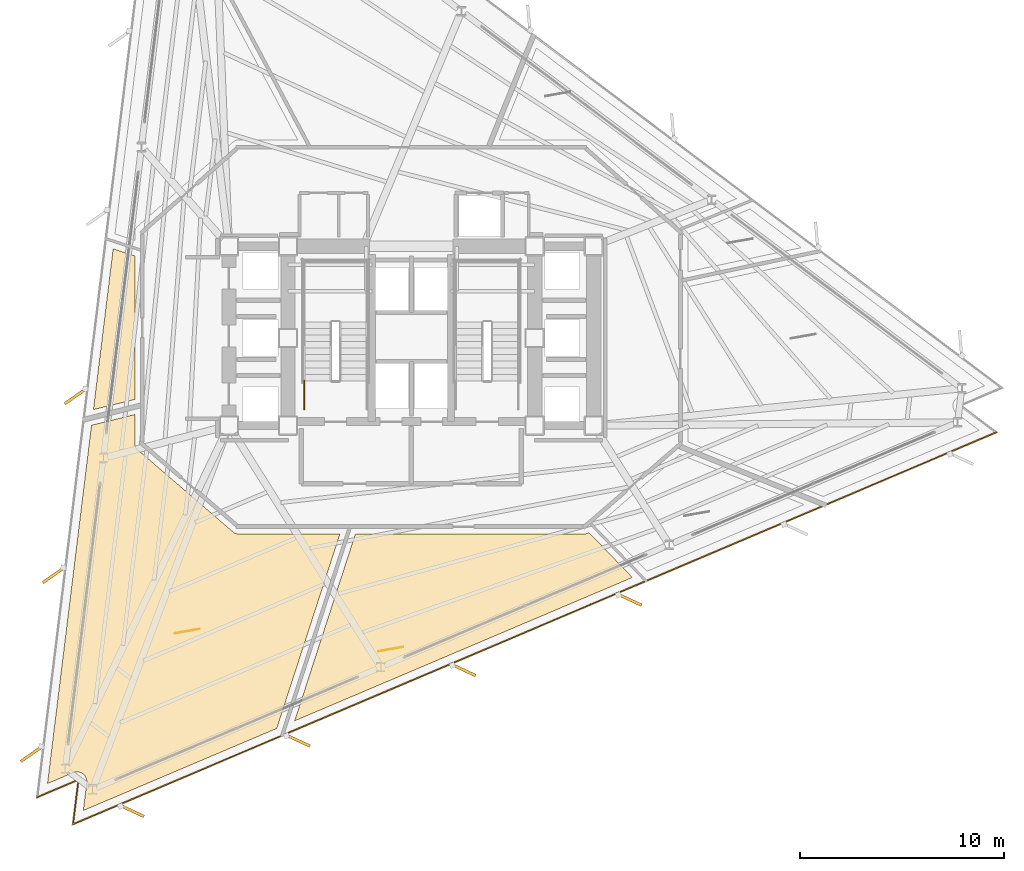
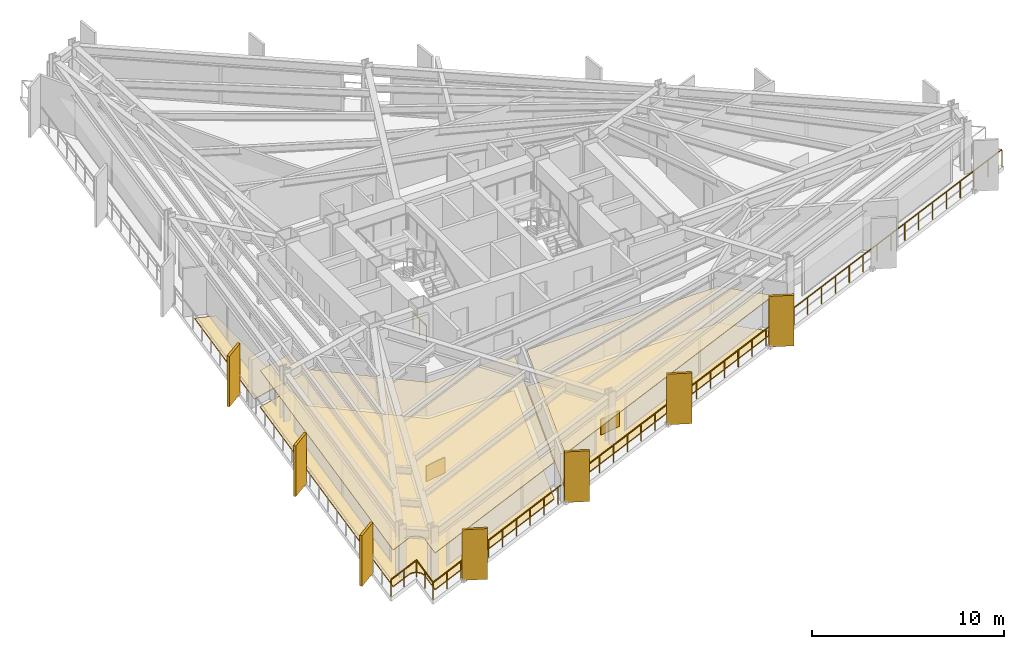
# One storey, part 9 of 13: 7 coverings, 7 shading devices, 2 railings.
"""IFC4 building model written with IfcOpenShell, lengths in metres."""

from ifc_helpers import new_model, si_unit, direction, frame, origin, origin_2d, place, context, subcontext, project, spatial, polyline, rectangle, outline, extrude, material, layer, layer_set, type_object, element, save


model = new_model("IFC4")

# Units and contexts
model_context = context("Model", 3, precision=1e-05, world=origin(), true_north=direction((0.0, 1.0)))
body_context = subcontext(model_context, "Body", "Model", "MODEL_VIEW")
ifc_project = project(units=[si_unit("LENGTHUNIT", "METRE"), si_unit("AREAUNIT", "SQUARE_METRE"), si_unit("VOLUMEUNIT", "CUBIC_METRE"), si_unit("PLANEANGLEUNIT", "RADIAN"), si_unit("MASSUNIT", "GRAM", prefix="KILO")], contexts=[model_context])

# Site, building, storey
site_placement = place(None, origin())
site = spatial("IfcSite", under=ifc_project, at=site_placement, CompositionType="ELEMENT")
building_placement = place(site_placement, origin())
building = spatial("IfcBuilding", under=site, at=building_placement, Name="Rocaltana Carrier Exchange", CompositionType="ELEMENT")
storey_placement = place(building_placement, frame((0.0, 0.0, 56.320068359375)))
storey = spatial("IfcBuildingStorey", under=building, at=storey_placement, Name="L17", CompositionType="ELEMENT", Elevation=56.320068359375)

# Coverings
ifc_material_1 = material(Name="Calcium Sulphate & Aluminium Pedestal", Category="aluminium")
ifc_layer_1 = layer(ifc_material_1, 0.06005859375)
ifc_layer_set_1 = layer_set([ifc_layer_1], Name="Calcium Sulphate & Aluminium Pedestal")
covering_type_1 = type_object("IfcCoveringType", Name="Anti-Static Raised Exchange Access Floor 60", PredefinedType="FLOORING", material=ifc_layer_set_1)
covering_1_placement = place(storey_placement, origin())
element("IfcCovering", 1, at=covering_1_placement, inside=storey, type_object=covering_type_1, Name="L17 Network Engineering Studio Finish Floor", PredefinedType="FLOORING", context=body_context, shape_type="SweptSolid", body=[
    extrude(outline(polyline([(-15.923583984375, -21.822021484375), (-15.922119140625, -21.80810546875), (-15.9208984375, -21.788330078125), (-15.920166015625, -21.760498046875), (-15.920654296875, -21.740478515625), (-15.9228515625, -21.712646484375), (-15.92529296875, -21.69287109375), (-15.930419921875, -21.665283203125), (-15.934814453125, -21.64599609375), (-15.9423828125, -21.619140625), (-15.94873046875, -21.60009765625), (-15.958984375, -21.57421875), (-15.96728515625, -21.55615234375), (-15.97998046875, -21.53125), (-15.989990234375, -21.51416015625), (-16.00537109375, -21.49072265625), (-16.01708984375, -21.474609375), (-16.034423828125, -21.45263671875), (-16.047607421875, -21.437744140625), (-16.067138671875, -21.41796875), (-16.081787109375, -21.404296875), (-16.103271484375, -21.386474609375), (-16.119140625, -21.37451171875), (-16.142333984375, -21.35888671875), (-16.159423828125, -21.348388671875), (-16.183837890625, -21.335205078125), (-16.201904296875, -21.326416015625), (-16.227783203125, -21.31591796875), (-16.246337890625, -21.30908203125), (-16.273193359375, -21.30078125), (-16.29248046875, -21.2958984375), (-16.31982421875, -21.29052734375), (-16.339599609375, -21.28759765625), (-16.3671875, -21.284912109375), (-16.38720703125, -21.283935546875), (-16.415283203125, -21.283935546875), (-16.43505859375, -21.284912109375), (-16.462890625, -21.287841796875), (-16.482421875, -21.291015625), (-16.510009765625, -21.29638671875), (-16.529296875, -21.301513671875), (-16.555908203125, -21.309814453125), (-16.57470703125, -21.316650390625), (-16.587646484375, -21.32177734375), (-17.847412109375, -21.8564453125), (-15.689697265625, -4.282958984375), (-13.56005859375, -3.751953125), (-13.56005859375, -5.199951171875), (-13.559814453125, -5.21337890625), (-13.559326171875, -5.220947265625), (-13.556884765625, -5.24755859375), (-13.5556640625, -5.255126953125), (-13.550537109375, -5.281494140625), (-13.548828125, -5.288818359375), (-13.541259765625, -5.314453125), (-13.538818359375, -5.32177734375), (-13.52880859375, -5.346435546875), (-13.525634765625, -5.353515625), (-13.51318359375, -5.377197265625), (-13.509521484375, -5.3837890625), (-13.4951171875, -5.40625), (-13.490478515625, -5.41259765625), (-13.47412109375, -5.433349609375), (-13.468994140625, -5.439208984375), (-13.450439453125, -5.45849609375), (-13.44482421875, -5.4638671875), (-13.43505859375, -5.47265625), (-8.735107421875, -9.522705078125), (-8.72412109375, -9.53173828125), (-8.717529296875, -9.53662109375), (-8.6943359375, -9.552978515625), (-8.6875, -9.557373046875), (-8.66259765625, -9.571044921875), (-8.6552734375, -9.57470703125), (-8.629150390625, -9.5859375), (-8.62158203125, -9.5888671875), (-8.594482421875, -9.597412109375), (-8.58642578125, -9.599365234375), (-8.55859375, -9.60498046875), (-8.550537109375, -9.606201171875), (-8.522216796875, -9.609130859375), (-8.51416015625, -9.609619140625), (-8.5, -9.610107421875), (-3.5009765625, -9.610107421875), (-6.6015625, -19.15283203125), (-16.09033203125, -23.180419921875), (-15.923583984375, -21.822021484375)])), origin(), (0.0, 0.0, 1.0), 0.059814453125),
])
covering_2_placement = place(storey_placement, origin())
element("IfcCovering", 2, at=covering_2_placement, inside=storey, type_object=covering_type_1, Name="L17 Photonic Integration Workshop Finish Floor", PredefinedType="FLOORING", context=body_context, shape_type="SweptSolid", body=[
    extrude(outline(polyline([(-5.723388671875, -18.780029296875), (-2.743896484375, -9.610107421875), (8.5, -9.610107421875), (8.51416015625, -9.609619140625), (8.522216796875, -9.609130859375), (8.550537109375, -9.606201171875), (8.55859375, -9.60498046875), (8.58642578125, -9.599365234375), (8.594482421875, -9.597412109375), (8.62158203125, -9.5888671875), (8.629150390625, -9.5859375), (8.6552734375, -9.57470703125), (8.66259765625, -9.571044921875), (8.6875, -9.557373046875), (8.6943359375, -9.552978515625), (8.71240234375, -9.540283203125), (10.843994140625, -11.74755859375), (-5.723388671875, -18.780029296875)])), origin(), (0.0, 0.0, 1.0), 0.059814453125),
])
covering_3_placement = place(storey_placement, origin())
element("IfcCovering", 3, at=covering_3_placement, inside=storey, type_object=covering_type_1, Name="L17 Cloud Architecture Office Finish Floor", PredefinedType="FLOORING", context=body_context, shape_type="SweptSolid", body=[
    extrude(outline(polyline([(-14.626708984375, 4.3740234375), (-13.56005859375, 4.02734375), (-13.56005859375, -3.010009765625), (-15.595703125, -3.517333984375), (-14.626708984375, 4.3740234375)])), origin(), (0.0, 0.0, 1.0), 0.059814453125),
])
ifc_material_2 = material(Name="Mineral Fibre & Powder-Coated Aluminium", Category="aluminium")
ifc_layer_2 = layer(ifc_material_2, 0.044921875)
ifc_layer_set_2 = layer_set([ifc_layer_2], Name="Mineral Fibre & Powder-Coated Aluminium")
covering_type_2 = type_object("IfcCoveringType", Name="Micro-Perforated Acoustic Ceiling 45", PredefinedType="CEILING", material=ifc_layer_set_2)
covering_4_placement = place(storey_placement, frame((0.0, 0.0, 2.322998046875)))
element("IfcCovering", 4, at=covering_4_placement, inside=storey, type_object=covering_type_2, Name="L17 Network Engineering Studio Acoustic Ceiling", PredefinedType="CEILING", context=body_context, shape_type="SweptSolid", body=[
    extrude(outline(polyline([(-15.923583984375, -21.822021484375), (-15.922119140625, -21.80810546875), (-15.9208984375, -21.788330078125), (-15.920166015625, -21.760498046875), (-15.920654296875, -21.740478515625), (-15.9228515625, -21.712646484375), (-15.92529296875, -21.69287109375), (-15.930419921875, -21.665283203125), (-15.934814453125, -21.64599609375), (-15.9423828125, -21.619140625), (-15.94873046875, -21.60009765625), (-15.958984375, -21.57421875), (-15.96728515625, -21.55615234375), (-15.97998046875, -21.53125), (-15.989990234375, -21.51416015625), (-16.00537109375, -21.49072265625), (-16.01708984375, -21.474609375), (-16.034423828125, -21.45263671875), (-16.047607421875, -21.437744140625), (-16.067138671875, -21.41796875), (-16.081787109375, -21.404296875), (-16.103271484375, -21.386474609375), (-16.119140625, -21.37451171875), (-16.142333984375, -21.35888671875), (-16.159423828125, -21.348388671875), (-16.183837890625, -21.335205078125), (-16.201904296875, -21.326416015625), (-16.227783203125, -21.31591796875), (-16.246337890625, -21.30908203125), (-16.273193359375, -21.30078125), (-16.29248046875, -21.2958984375), (-16.31982421875, -21.29052734375), (-16.339599609375, -21.28759765625), (-16.3671875, -21.284912109375), (-16.38720703125, -21.283935546875), (-16.415283203125, -21.283935546875), (-16.43505859375, -21.284912109375), (-16.462890625, -21.287841796875), (-16.482421875, -21.291015625), (-16.510009765625, -21.29638671875), (-16.529296875, -21.301513671875), (-16.555908203125, -21.309814453125), (-16.57470703125, -21.316650390625), (-16.587646484375, -21.32177734375), (-17.847412109375, -21.8564453125), (-15.689697265625, -4.282958984375), (-13.56005859375, -3.751953125), (-13.56005859375, -5.199951171875), (-13.559814453125, -5.21337890625), (-13.559326171875, -5.220947265625), (-13.556884765625, -5.24755859375), (-13.5556640625, -5.255126953125), (-13.550537109375, -5.281494140625), (-13.548828125, -5.288818359375), (-13.541259765625, -5.314453125), (-13.538818359375, -5.32177734375), (-13.52880859375, -5.346435546875), (-13.525634765625, -5.353515625), (-13.51318359375, -5.377197265625), (-13.509521484375, -5.3837890625), (-13.4951171875, -5.40625), (-13.490478515625, -5.41259765625), (-13.47412109375, -5.433349609375), (-13.468994140625, -5.439208984375), (-13.450439453125, -5.45849609375), (-13.44482421875, -5.4638671875), (-13.43505859375, -5.47265625), (-8.735107421875, -9.522705078125), (-8.72412109375, -9.53173828125), (-8.717529296875, -9.53662109375), (-8.6943359375, -9.552978515625), (-8.6875, -9.557373046875), (-8.66259765625, -9.571044921875), (-8.6552734375, -9.57470703125), (-8.629150390625, -9.5859375), (-8.62158203125, -9.5888671875), (-8.594482421875, -9.597412109375), (-8.58642578125, -9.599365234375), (-8.55859375, -9.60498046875), (-8.550537109375, -9.606201171875), (-8.522216796875, -9.609130859375), (-8.51416015625, -9.609619140625), (-8.5, -9.610107421875), (-3.5009765625, -9.610107421875), (-6.6015625, -19.15283203125), (-16.09033203125, -23.180419921875), (-15.923583984375, -21.822021484375)])), origin(), (0.0, 0.0, 1.0), 0.044921875),
])
covering_5_placement = place(storey_placement, frame((0.0, 0.0, 2.322998046875)))
element("IfcCovering", 5, at=covering_5_placement, inside=storey, type_object=covering_type_2, Name="L17 Photonic Integration Workshop Acoustic Ceiling", PredefinedType="CEILING", context=body_context, shape_type="SweptSolid", body=[
    extrude(outline(polyline([(-5.723388671875, -18.780029296875), (-2.743896484375, -9.610107421875), (8.5, -9.610107421875), (8.51416015625, -9.609619140625), (8.522216796875, -9.609130859375), (8.550537109375, -9.606201171875), (8.55859375, -9.60498046875), (8.58642578125, -9.599365234375), (8.594482421875, -9.597412109375), (8.62158203125, -9.5888671875), (8.629150390625, -9.5859375), (8.6552734375, -9.57470703125), (8.66259765625, -9.571044921875), (8.6875, -9.557373046875), (8.6943359375, -9.552978515625), (8.71240234375, -9.540283203125), (10.843994140625, -11.74755859375), (-5.723388671875, -18.780029296875)])), origin(), (0.0, 0.0, 1.0), 0.044921875),
])

# Railing
ifc_material_3 = material(Name="Powder-Coated Aluminium 6063-T6", Category="aluminium")
ifc_layer_3 = layer(ifc_material_3, 0.048095703125)
ifc_layer_set_3 = layer_set([ifc_layer_3], Name="Powder-Coated Aluminium 6063-T6")
railing_type_1 = type_object("IfcRailingType", Name="Stair Well Guardrail 1100", PredefinedType="GUARDRAIL", material=ifc_layer_set_3)
railing_1_placement = place(storey_placement, frame((-5.25, -3.5, 0.0)))
element("IfcRailing", 6, at=railing_1_placement, inside=storey, type_object=railing_type_1, Name="L17 ST-1 stair guard 9", PredefinedType="GUARDRAIL", context=body_context, shape_type="SweptSolid", body=[
    extrude(rectangle(XDim=0.048095703125, YDim=0.048095703125, at=origin_2d()), frame((0.0, 0.0, 1.076171875), z_axis=(0.0, 1.0, 0.0), x_axis=(-1.0, 0.0, 0.0)), (0.0, 0.0, 1.0), 1.39990234375),
    extrude(rectangle(XDim=0.0419921875, YDim=0.0419921875, at=origin_2d()), origin(), (0.0, 0.0, 1.0), 1.052001953125),
    extrude(rectangle(XDim=0.0419921875, YDim=0.0419921875, at=origin_2d()), frame((0.0, 0.699951171875, 0.0)), (0.0, 0.0, 1.0), 1.052001953125),
    extrude(rectangle(XDim=0.0419921875, YDim=0.0419921875, at=origin_2d()), frame((0.0, 1.39990234375, 0.0)), (0.0, 0.0, 1.0), 1.052001953125),
])

# Coverings
ifc_material_4 = material(Name="Honed Piedra Muneca Sandstone", Category="masonry")
ifc_layer_4 = layer(ifc_material_4, 0.034912109375)
ifc_layer_set_4 = layer_set([ifc_layer_4], Name="Honed Piedra Muneca Sandstone")
covering_type_3 = type_object("IfcCoveringType", Name="Stone Facade Cladding 35", PredefinedType="CLADDING", material=ifc_layer_set_4)
for number, where, z_axis, x_axis, name in (
    (7, (-10.990478515625, -14.38134765625, 0.0), (0.0, 0.0, 1.0), (0.984807753012, 0.173648177667, 0.0), "L17 Stone Facade Cladding Panel 1"),
    (8, (-1.010498046875, -15.263916015625, 0.0), (0.0, 0.0, 1.0), (0.984807753012, 0.173648177667, 0.0), "L17 Stone Facade Cladding Panel 2"),
):
    element("IfcCovering", number, at=place(storey_placement, frame(where, z_axis=z_axis, x_axis=x_axis)), inside=storey, type_object=covering_type_3, Name=name, PredefinedType="CLADDING", context=body_context, shape_type="SweptSolid", body=[
        extrude(rectangle(XDim=1.25, YDim=0.034912109375, at=origin_2d()), origin(), (0.0, 0.0, 1.0), 1.050048828125),
    ])

# Shading devices
ifc_material_5 = material(Name="Honed Bogota Sandstone & Concrete C45/55", Category="masonry")
ifc_layer_5 = layer(ifc_material_5, 0.139892578125)
ifc_layer_set_5 = layer_set([ifc_layer_5], Name="Honed Bogota Sandstone & Concrete C45/55")
shading_device_type = type_object("IfcShadingDeviceType", Name="Vertical Sandstone Shading Fin 1320x140", PredefinedType="USERDEFINED", material=ifc_layer_set_5)
for number, where, z_axis, x_axis, name in (
    (9, (-16.46142578125, -2.85009765625, -0.1201171875), (0.0, 0.0, 1.0), (-0.819152044289, -0.573576436351, 0.0), "L17 Sandstone Vertical Fin F2-04"),
    (10, (-17.538818359375, -11.6240234375, -0.1201171875), (0.0, 0.0, 1.0), (-0.819152044289, -0.573576436351, 0.0), "L17 Sandstone Vertical Fin F2-05"),
    (11, (-18.6162109375, -20.398193359375, -0.1201171875), (0.0, 0.0, 1.0), (-0.819152044289, -0.573576436351, 0.0), "L17 Sandstone Vertical Fin F2-06"),
    (12, (-13.712890625, -23.193359375, -0.1201171875), (0.0, 0.0, 1.0), (0.906307787037, -0.422618261741, 0.0), "L17 Sandstone Vertical Fin F3-01"),
    (13, (-5.57568359375, -19.7392578125, -0.1201171875), (0.0, 0.0, 1.0), (0.906307787037, -0.422618261741, 0.0), "L17 Sandstone Vertical Fin F3-02"),
    (14, (2.5615234375, -16.28515625, -0.1201171875), (0.0, 0.0, 1.0), (0.906307787037, -0.422618261741, 0.0), "L17 Sandstone Vertical Fin F3-03"),
    (15, (10.698974609375, -12.8310546875, -0.1201171875), (0.0, 0.0, 1.0), (0.906307787037, -0.422618261741, 0.0), "L17 Sandstone Vertical Fin F3-04"),
):
    element("IfcShadingDevice", number, at=place(storey_placement, frame(where, z_axis=z_axis, x_axis=x_axis)), inside=storey, type_object=shading_device_type, Name=name, ObjectType="FIN", PredefinedType="USERDEFINED", context=body_context, shape_type="SweptSolid", body=[
        extrude(rectangle(XDim=1.320068359375, YDim=0.139892578125, at=origin_2d()), origin(), (0.0, 0.0, 1.0), 3.218017578125),
    ])

# Railing
ifc_material_6 = material(Name="Powder-Coated Aluminium 6063-T6", Category="aluminium")
ifc_layer_6 = layer(ifc_material_6, 0.06005859375)
ifc_layer_set_6 = layer_set([ifc_layer_6], Name="Powder-Coated Aluminium 6063-T6")
railing_type_2 = type_object("IfcRailingType", Name="Wind-Floor & Terrace Perimeter Guardrail 1100", PredefinedType="GUARDRAIL", material=ifc_layer_set_6)
railing_2_placement = place(storey_placement, frame((28.685791015625, -4.63037109375, 0.0)))
element("IfcRailing", 16, at=railing_2_placement, inside=storey, type_object=railing_type_2, Name="L17 Perimeter Balcony Guardrail 1", PredefinedType="GUARDRAIL", context=body_context, shape_type="SweptSolid", body=[
    extrude(rectangle(XDim=0.048095703125, YDim=0.048095703125, at=origin_2d()), frame((0.0, 0.0, 1.076171875), z_axis=(-0.920504928534, -0.390730951608, 0.0), x_axis=(0.390730951608, -0.920504928534, 0.0)), (0.0, 0.0, 1.0), 49.1923828125),
    extrude(rectangle(XDim=0.048095703125, YDim=0.048095703125, at=origin_2d()), frame((-45.28173828125, -19.220947265625, 1.076171875), z_axis=(0.121849105842, 0.992548636292, 0.0), x_axis=(-0.992548636292, 0.121849105842, 0.0)), (0.0, 0.0, 1.0), 2.199951171875),
    extrude(rectangle(XDim=0.048095703125, YDim=0.048095703125, at=origin_2d()), frame((-45.013671875, -17.037353515625, 1.076171875), z_axis=(-0.920488651352, -0.390769296046, 0.0), x_axis=(0.390769296046, -0.920488651352, 0.0)), (0.0, 0.0, 1.0), 2.19970703125),
    extrude(rectangle(XDim=0.0419921875, YDim=0.0419921875, at=origin_2d()), origin(), (0.0, 0.0, 1.0), 1.052001953125),
    extrude(rectangle(XDim=0.0419921875, YDim=0.0419921875, at=origin_2d()), frame((-1.1044921875, -0.46875, 0.0)), (0.0, 0.0, 1.0), 1.052001953125),
    extrude(rectangle(XDim=0.0419921875, YDim=0.0419921875, at=origin_2d()), frame((-2.208984375, -0.9375, 0.0)), (0.0, 0.0, 1.0), 1.052001953125),
    extrude(rectangle(XDim=0.0419921875, YDim=0.0419921875, at=origin_2d()), frame((-3.313232421875, -1.406494140625, 0.0)), (0.0, 0.0, 1.0), 1.052001953125),
    extrude(rectangle(XDim=0.0419921875, YDim=0.0419921875, at=origin_2d()), frame((-4.417724609375, -1.875244140625, 0.0)), (0.0, 0.0, 1.0), 1.052001953125),
    extrude(rectangle(XDim=0.0419921875, YDim=0.0419921875, at=origin_2d()), frame((-5.522216796875, -2.343994140625, 0.0)), (0.0, 0.0, 1.0), 1.052001953125),
    extrude(rectangle(XDim=0.0419921875, YDim=0.0419921875, at=origin_2d()), frame((-6.626708984375, -2.812744140625, 0.0)), (0.0, 0.0, 1.0), 1.052001953125),
    extrude(rectangle(XDim=0.0419921875, YDim=0.0419921875, at=origin_2d()), frame((-7.73095703125, -3.28173828125, 0.0)), (0.0, 0.0, 1.0), 1.052001953125),
    extrude(rectangle(XDim=0.0419921875, YDim=0.0419921875, at=origin_2d()), frame((-8.83544921875, -3.75048828125, 0.0)), (0.0, 0.0, 1.0), 1.052001953125),
    extrude(rectangle(XDim=0.0419921875, YDim=0.0419921875, at=origin_2d()), frame((-9.93994140625, -4.21923828125, 0.0)), (0.0, 0.0, 1.0), 1.052001953125),
    extrude(rectangle(XDim=0.0419921875, YDim=0.0419921875, at=origin_2d()), frame((-11.04443359375, -4.68798828125, 0.0)), (0.0, 0.0, 1.0), 1.052001953125),
    extrude(rectangle(XDim=0.0419921875, YDim=0.0419921875, at=origin_2d()), frame((-12.148681640625, -5.15673828125, 0.0)), (0.0, 0.0, 1.0), 1.052001953125),
    extrude(rectangle(XDim=0.0419921875, YDim=0.0419921875, at=origin_2d()), frame((-13.253173828125, -5.625732421875, 0.0)), (0.0, 0.0, 1.0), 1.052001953125),
    extrude(rectangle(XDim=0.0419921875, YDim=0.0419921875, at=origin_2d()), frame((-14.357666015625, -6.094482421875, 0.0)), (0.0, 0.0, 1.0), 1.052001953125),
    extrude(rectangle(XDim=0.0419921875, YDim=0.0419921875, at=origin_2d()), frame((-15.462158203125, -6.563232421875, 0.0)), (0.0, 0.0, 1.0), 1.052001953125),
    extrude(rectangle(XDim=0.0419921875, YDim=0.0419921875, at=origin_2d()), frame((-16.56640625, -7.031982421875, 0.0)), (0.0, 0.0, 1.0), 1.052001953125),
    extrude(rectangle(XDim=0.0419921875, YDim=0.0419921875, at=origin_2d()), frame((-17.6708984375, -7.5009765625, 0.0)), (0.0, 0.0, 1.0), 1.052001953125),
    extrude(rectangle(XDim=0.0419921875, YDim=0.0419921875, at=origin_2d()), frame((-18.775390625, -7.9697265625, 0.0)), (0.0, 0.0, 1.0), 1.052001953125),
    extrude(rectangle(XDim=0.0419921875, YDim=0.0419921875, at=origin_2d()), frame((-19.8798828125, -8.4384765625, 0.0)), (0.0, 0.0, 1.0), 1.052001953125),
    extrude(rectangle(XDim=0.0419921875, YDim=0.0419921875, at=origin_2d()), frame((-20.984130859375, -8.9072265625, 0.0)), (0.0, 0.0, 1.0), 1.052001953125),
    extrude(rectangle(XDim=0.0419921875, YDim=0.0419921875, at=origin_2d()), frame((-22.088623046875, -9.3759765625, 0.0)), (0.0, 0.0, 1.0), 1.052001953125),
    extrude(rectangle(XDim=0.0419921875, YDim=0.0419921875, at=origin_2d()), frame((-23.193115234375, -9.844970703125, 0.0)), (0.0, 0.0, 1.0), 1.052001953125),
    extrude(rectangle(XDim=0.0419921875, YDim=0.0419921875, at=origin_2d()), frame((-24.297607421875, -10.313720703125, 0.0)), (0.0, 0.0, 1.0), 1.052001953125),
    extrude(rectangle(XDim=0.0419921875, YDim=0.0419921875, at=origin_2d()), frame((-25.40185546875, -10.782470703125, 0.0)), (0.0, 0.0, 1.0), 1.052001953125),
    extrude(rectangle(XDim=0.0419921875, YDim=0.0419921875, at=origin_2d()), frame((-26.50634765625, -11.251220703125, 0.0)), (0.0, 0.0, 1.0), 1.052001953125),
    extrude(rectangle(XDim=0.0419921875, YDim=0.0419921875, at=origin_2d()), frame((-27.61083984375, -11.719970703125, 0.0)), (0.0, 0.0, 1.0), 1.052001953125),
    extrude(rectangle(XDim=0.0419921875, YDim=0.0419921875, at=origin_2d()), frame((-28.71533203125, -12.18896484375, 0.0)), (0.0, 0.0, 1.0), 1.052001953125),
    extrude(rectangle(XDim=0.0419921875, YDim=0.0419921875, at=origin_2d()), frame((-29.819580078125, -12.65771484375, 0.0)), (0.0, 0.0, 1.0), 1.052001953125),
    extrude(rectangle(XDim=0.0419921875, YDim=0.0419921875, at=origin_2d()), frame((-30.924072265625, -13.12646484375, 0.0)), (0.0, 0.0, 1.0), 1.052001953125),
    extrude(rectangle(XDim=0.0419921875, YDim=0.0419921875, at=origin_2d()), frame((-32.028564453125, -13.59521484375, 0.0)), (0.0, 0.0, 1.0), 1.052001953125),
    extrude(rectangle(XDim=0.0419921875, YDim=0.0419921875, at=origin_2d()), frame((-33.133056640625, -14.064208984375, 0.0)), (0.0, 0.0, 1.0), 1.052001953125),
    extrude(rectangle(XDim=0.0419921875, YDim=0.0419921875, at=origin_2d()), frame((-34.2373046875, -14.532958984375, 0.0)), (0.0, 0.0, 1.0), 1.052001953125),
    extrude(rectangle(XDim=0.0419921875, YDim=0.0419921875, at=origin_2d()), frame((-35.341796875, -15.001708984375, 0.0)), (0.0, 0.0, 1.0), 1.052001953125),
    extrude(rectangle(XDim=0.0419921875, YDim=0.0419921875, at=origin_2d()), frame((-36.4462890625, -15.470458984375, 0.0)), (0.0, 0.0, 1.0), 1.052001953125),
    extrude(rectangle(XDim=0.0419921875, YDim=0.0419921875, at=origin_2d()), frame((-37.55078125, -15.939208984375, 0.0)), (0.0, 0.0, 1.0), 1.052001953125),
    extrude(rectangle(XDim=0.0419921875, YDim=0.0419921875, at=origin_2d()), frame((-38.655029296875, -16.408203125, 0.0)), (0.0, 0.0, 1.0), 1.052001953125),
    extrude(rectangle(XDim=0.0419921875, YDim=0.0419921875, at=origin_2d()), frame((-39.759521484375, -16.876953125, 0.0)), (0.0, 0.0, 1.0), 1.052001953125),
    extrude(rectangle(XDim=0.0419921875, YDim=0.0419921875, at=origin_2d()), frame((-40.864013671875, -17.345703125, 0.0)), (0.0, 0.0, 1.0), 1.052001953125),
    extrude(rectangle(XDim=0.0419921875, YDim=0.0419921875, at=origin_2d()), frame((-41.968505859375, -17.814453125, 0.0)), (0.0, 0.0, 1.0), 1.052001953125),
    extrude(rectangle(XDim=0.0419921875, YDim=0.0419921875, at=origin_2d()), frame((-43.07275390625, -18.283447265625, 0.0)), (0.0, 0.0, 1.0), 1.052001953125),
    extrude(rectangle(XDim=0.0419921875, YDim=0.0419921875, at=origin_2d()), frame((-44.17724609375, -18.752197265625, 0.0)), (0.0, 0.0, 1.0), 1.052001953125),
    extrude(rectangle(XDim=0.0419921875, YDim=0.0419921875, at=origin_2d()), frame((-45.28173828125, -19.220947265625, 0.0)), (0.0, 0.0, 1.0), 1.052001953125),
    extrude(rectangle(XDim=0.0419921875, YDim=0.0419921875, at=origin_2d()), frame((-45.147705078125, -18.129150390625, 0.0)), (0.0, 0.0, 1.0), 1.052001953125),
    extrude(rectangle(XDim=0.0419921875, YDim=0.0419921875, at=origin_2d()), frame((-45.013671875, -17.037353515625, 0.0)), (0.0, 0.0, 1.0), 1.052001953125),
    extrude(rectangle(XDim=0.0419921875, YDim=0.0419921875, at=origin_2d()), frame((-46.026123046875, -17.46728515625, 0.0)), (0.0, 0.0, 1.0), 1.052001953125),
    extrude(rectangle(XDim=0.0419921875, YDim=0.0419921875, at=origin_2d()), frame((-47.03857421875, -17.89697265625, 0.0)), (0.0, 0.0, 1.0), 1.052001953125),
])

save(model, "model.ifc")
